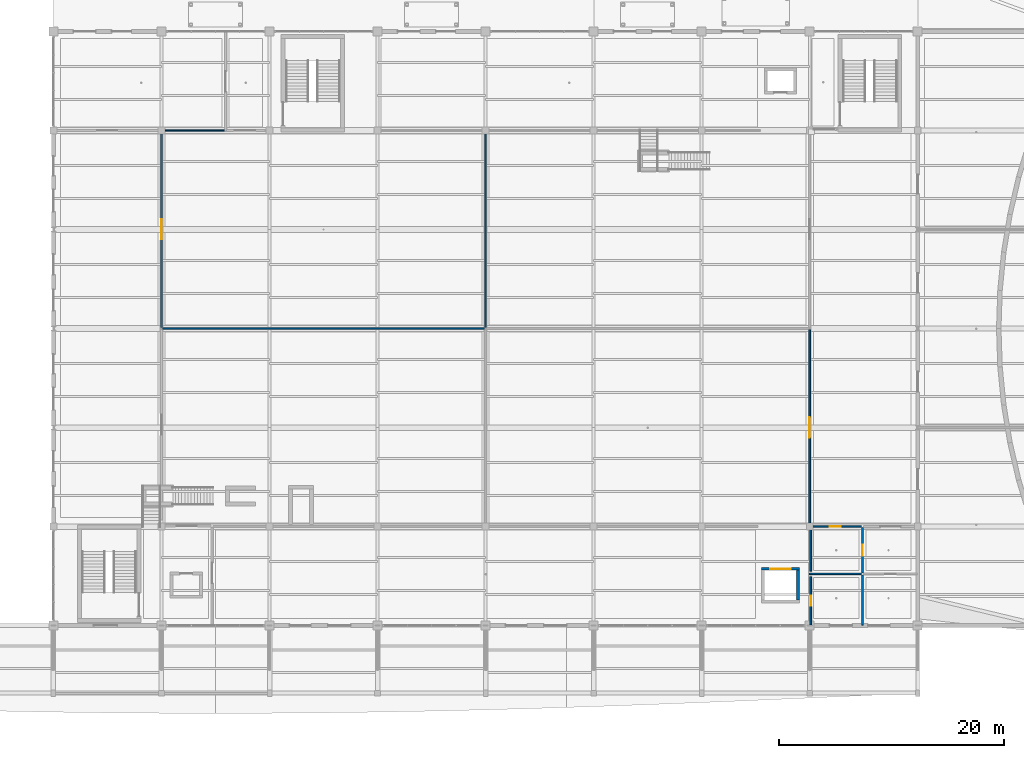
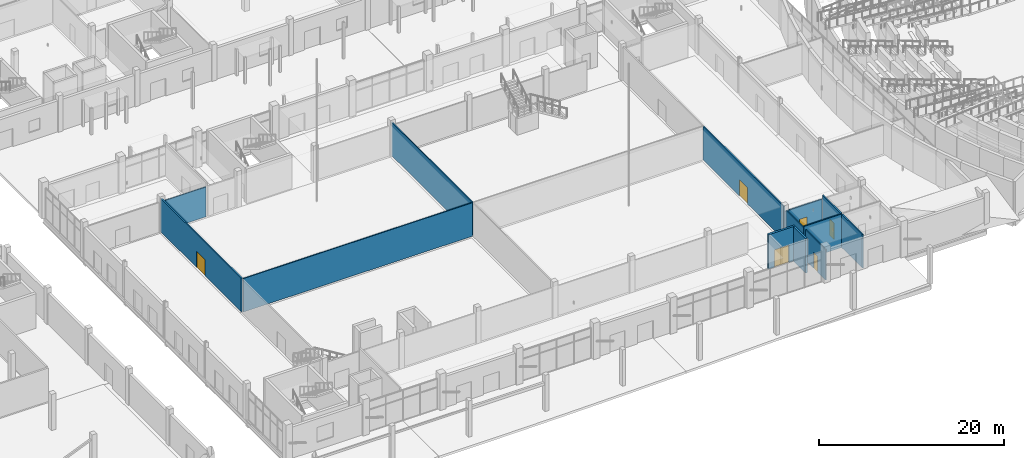
# One storey, part 79 of 116: 13 walls, 6 doors, 6 openings.
"""IFC4 building model written with IfcOpenShell, lengths in metres."""

from ifc_helpers import new_model, si_unit, direction, frame, frame_2d, origin, place, context, subcontext, project, spatial, rectangle, extrude, material, layer, layer_set, type_object, element, fill, save


model = new_model("IFC4")

# Units and contexts
model_context = context("Model", 3, precision=1e-05, world=origin(), true_north=direction((0.0, 1.0)))
body_context = subcontext(model_context, "Body", "Model", "MODEL_VIEW")
ifc_project = project(units=[si_unit("LENGTHUNIT", "METRE"), si_unit("AREAUNIT", "SQUARE_METRE"), si_unit("VOLUMEUNIT", "CUBIC_METRE"), si_unit("PLANEANGLEUNIT", "RADIAN"), si_unit("MASSUNIT", "GRAM", prefix="KILO")], contexts=[model_context])

# Site, building, storey
site_placement = place(None, origin())
site = spatial("IfcSite", under=ifc_project, at=site_placement, CompositionType="ELEMENT")
building_placement = place(site_placement, origin())
building = spatial("IfcBuilding", under=site, at=building_placement, Name="Chalmorin Arch Market", CompositionType="ELEMENT")
storey_placement = place(building_placement, origin())
storey = spatial("IfcBuildingStorey", under=building, at=storey_placement, Name="L00", CompositionType="ELEMENT", Elevation=0.0)

# Wall, opening, door
ifc_material_1 = material(Name="Gypsum Board Partition")
ifc_layer_1 = layer(ifc_material_1, 0.159912109375)
ifc_layer_set_1 = layer_set([ifc_layer_1], Name="Gypsum Board Partition")
wall_type_1 = type_object("IfcWallType", Name="CorridorRatedPartition-160", PredefinedType="PARTITIONING", material=ifc_layer_set_1)
wall_1_placement = place(storey_placement, frame((115.199951171875, 14.89990234375, 0.0), z_axis=(0.0, 0.0, 1.0), x_axis=(0.0, 1.0, 0.0)))
wall_1 = element("IfcWall", 1, at=wall_1_placement, inside=storey, type_object=wall_type_1, Name="CRP-160-396", PredefinedType="PARTITIONING", context=body_context, shape_type="SweptSolid", body=[
    extrude(rectangle(XDim=17.400146484375, YDim=0.159912109375, at=frame_2d((8.7001953125, 0.0))), origin(), (0.0, 0.0, 1.0), 4.419921875),
])
opening_1_placement = place(wall_1_placement, frame((7.800048828125, 0.0, 0.0)))
opening_1 = element("IfcOpeningElement", 2, at=opening_1_placement, cuts=wall_1, Name="Opening ID-103", PredefinedType="OPENING", context=body_context, shape_type="SweptSolid", body=[
    extrude(rectangle(XDim=1.800048828125, YDim=2.14990234375, at=frame_2d((0.89990234375, 1.074951171875))), frame((0.0, 0.08984375, 0.0), z_axis=(0.0, -1.0, 0.0), x_axis=(1.0, 0.0, 0.0)), (0.0, 0.0, 1.0), 0.179931640625),
])
ifc_material_2 = material(Name="Galvanised Steel", Category="steel")
door_type_1 = type_object("IfcDoorType", Name="CorridorFireDoubleDoor-1800x2150", OperationType="DOUBLE_DOOR_SINGLE_SWING", PredefinedType="DOOR", material=ifc_material_2)
door_1_placement = place(opening_1_placement, origin())
door_1 = element("IfcDoor", 3, at=door_1_placement, inside=storey, type_object=door_type_1, Name="ID-103", OperationType="DOUBLE_DOOR_SINGLE_SWING", OverallHeight=2.14990234375, OverallWidth=1.800048828125, PredefinedType="DOOR", context=body_context, shape_type="SweptSolid", body=[
    extrude(rectangle(XDim=1.800048828125, YDim=2.14990234375, at=frame_2d((0.89990234375, 1.074951171875))), frame((0.0, 0.02490234375, 0.0), z_axis=(0.0, -1.0, 0.0), x_axis=(1.0, 0.0, 0.0)), (0.0, 0.0, 1.0), 0.050048828125),
])
fill(opening_1, door_1)

wall_2_placement = place(storey_placement, frame((57.60009765625, 32.5, 0.0), z_axis=(0.0, 0.0, 1.0), x_axis=(0.0, 1.0, 0.0)))
wall_2 = element("IfcWall", 4, at=wall_2_placement, inside=storey, type_object=wall_type_1, Name="CRP-160-400", PredefinedType="PARTITIONING", context=body_context, shape_type="SweptSolid", body=[
    extrude(rectangle(XDim=17.449951171875, YDim=0.159912109375, at=frame_2d((8.72509765625, 0.0))), origin(), (0.0, 0.0, 1.0), 4.419921875),
])
opening_2_placement = place(wall_2_placement, frame((7.824951171875, 0.0, 0.0)))
opening_2 = element("IfcOpeningElement", 5, at=opening_2_placement, cuts=wall_2, Name="Opening ID-104", PredefinedType="OPENING", context=body_context, shape_type="SweptSolid", body=[
    extrude(rectangle(XDim=1.800048828125, YDim=2.14990234375, at=frame_2d((0.89990234375, 1.074951171875))), frame((0.0, 0.08984375, 0.0), z_axis=(0.0, -1.0, 0.0), x_axis=(1.0, 0.0, 0.0)), (0.0, 0.0, 1.0), 0.179931640625),
])
door_2_placement = place(opening_2_placement, origin())
door_2 = element("IfcDoor", 6, at=door_2_placement, inside=storey, type_object=door_type_1, Name="ID-104", OperationType="DOUBLE_DOOR_SINGLE_SWING", OverallHeight=2.14990234375, OverallWidth=1.800048828125, PredefinedType="DOOR", context=body_context, shape_type="SweptSolid", body=[
    extrude(rectangle(XDim=1.800048828125, YDim=2.14990234375, at=frame_2d((0.89990234375, 1.074951171875))), frame((0.0, 0.02490234375, 0.0), z_axis=(0.0, -1.0, 0.0), x_axis=(1.0, 0.0, 0.0)), (0.0, 0.0, 1.0), 0.050048828125),
])
fill(opening_2, door_2)

# Walls
ifc_material_3 = material(Name="Powder-coated Aluminium Panel", Category="aluminium")
ifc_layer_2 = layer(ifc_material_3, 0.125)
ifc_layer_set_2 = layer_set([ifc_layer_2], Name="Powder-coated Aluminium Panel")
wall_type_2 = type_object("IfcWallType", Name="DemountableStudStallPartition-125", PredefinedType="PARTITIONING", material=ifc_layer_set_2)
wall_3_placement = place(storey_placement, frame((57.699951171875, 32.39990234375, 0.0), z_axis=(0.0, 0.0, 1.0), x_axis=(1.0, 0.0, 0.0)))
element("IfcWall", 7, at=wall_3_placement, inside=storey, type_object=wall_type_2, Name="DSP-125-390", PredefinedType="PARTITIONING", context=body_context, shape_type="SweptSolid", body=[
    extrude(rectangle(XDim=28.60009765625, YDim=0.125, at=frame_2d((14.300048828125, 0.0))), origin(), (0.0, 0.0, 1.0), 4.419921875),
])
wall_4_placement = place(storey_placement, frame((86.39990234375, 32.5, 0.0), z_axis=(0.0, 0.0, 1.0), x_axis=(0.0, 1.0, 0.0)))
element("IfcWall", 8, at=wall_4_placement, inside=storey, type_object=wall_type_2, Name="DSP-125-397", PredefinedType="PARTITIONING", context=body_context, shape_type="SweptSolid", body=[
    extrude(rectangle(XDim=17.449951171875, YDim=0.125, at=frame_2d((8.72509765625, 0.0))), origin(), (0.0, 0.0, 1.0), 4.419921875),
])
wall_5_placement = place(storey_placement, frame((57.699951171875, 50.0, 0.0), z_axis=(0.0, 0.0, 1.0), x_axis=(1.0, 0.0, 0.0)))
element("IfcWall", 9, at=wall_5_placement, inside=storey, type_object=wall_type_2, Name="DSP-125-399", PredefinedType="PARTITIONING", context=body_context, shape_type="SweptSolid", body=[
    extrude(rectangle(XDim=5.5, YDim=0.125, at=frame_2d((2.75, 0.0))), origin(), (0.0, 0.0, 1.0), 3.925048828125),
])

# Wall, opening, door
ifc_material_4 = material(Name="Concrete C35/45", Category="concrete")
ifc_layer_3 = layer(ifc_material_4, 0.25)
ifc_layer_set_3 = layer_set([ifc_layer_3], Name="Concrete C35/45")
wall_type_3 = type_object("IfcWallType", Name="ShaftEnclosureWall-250", PredefinedType="SOLIDWALL", material=ifc_layer_set_3)
wall_6_placement = place(storey_placement, frame((110.925048828125, 11.050048828125, 0.0), z_axis=(0.0, 0.0, 1.0), x_axis=(1.0, 0.0, 0.0)))
wall_6 = element("IfcWall", 10, at=wall_6_placement, inside=storey, type_object=wall_type_3, Name="SEW-250-303", PredefinedType="SOLIDWALL", context=body_context, shape_type="SweptSolid", body=[
    extrude(rectangle(XDim=3.349853515625, YDim=0.25, at=frame_2d((1.6748046875, 0.0))), origin(), (0.0, 0.0, 1.0), 4.550048828125),
])
opening_3_placement = place(wall_6_placement, frame((0.77490234375, 0.0, 0.0)))
opening_3 = element("IfcOpeningElement", 11, at=opening_3_placement, cuts=wall_6, Name="Opening LD-LF-FR2-L00", PredefinedType="OPENING", context=body_context, shape_type="SweptSolid", body=[
    extrude(rectangle(XDim=1.800048828125, YDim=2.300048828125, at=frame_2d((0.89990234375, 1.14990234375))), frame((0.0, 0.135009765625, 0.0), z_axis=(0.0, -1.0, 0.0), x_axis=(1.0, 0.0, 0.0)), (0.0, 0.0, 1.0), 0.27001953125),
])
ifc_material_5 = material(Name="Stainless Steel 316", Category="steel")
door_type_2 = type_object("IfcDoorType", Name="FreightLiftLandingDoor-1800x2300", OperationType="DOUBLE_DOOR_SLIDING", PredefinedType="DOOR", material=ifc_material_5)
door_3_placement = place(opening_3_placement, origin())
door_3 = element("IfcDoor", 12, at=door_3_placement, inside=storey, type_object=door_type_2, Name="LD-LF-FR2-L00", OperationType="DOUBLE_DOOR_SLIDING", OverallHeight=2.300048828125, OverallWidth=1.800048828125, PredefinedType="DOOR", context=body_context, shape_type="SweptSolid", body=[
    extrude(rectangle(XDim=1.800048828125, YDim=2.300048828125, at=frame_2d((0.89990234375, 1.14990234375))), frame((0.0, 0.02490234375, 0.0), z_axis=(0.0, -1.0, 0.0), x_axis=(1.0, 0.0, 0.0)), (0.0, 0.0, 1.0), 0.050048828125),
])
fill(opening_3, door_3)

# Wall
wall_7_placement = place(storey_placement, frame((114.14990234375, 10.925048828125, 0.0), z_axis=(0.0, 0.0, 1.0), x_axis=(0.0, -1.0, 0.0)))
element("IfcWall", 13, at=wall_7_placement, inside=storey, type_object=wall_type_3, Name="SEW-250-305", PredefinedType="SOLIDWALL", context=body_context, shape_type="SweptSolid", body=[
    extrude(rectangle(XDim=2.650146484375, YDim=0.25, at=frame_2d((1.3251953125, 0.0))), origin(), (0.0, 0.0, 1.0), 4.550048828125),
])

# Wall, opening, door
ifc_material_6 = material(Name="Concrete C30/37", Category="concrete")
ifc_layer_4 = layer(ifc_material_6, 0.14990234375)
ifc_layer_set_4 = layer_set([ifc_layer_4], Name="Concrete C30/37")
wall_type_4 = type_object("IfcWallType", Name="WetAreaTilePartition-150", PredefinedType="PARTITIONING", material=ifc_layer_set_4)
wall_8_placement = place(storey_placement, frame((115.14990234375, 14.800048828125, 0.0), z_axis=(0.0, 0.0, 1.0), x_axis=(1.0, 0.0, 0.0)))
wall_8 = element("IfcWall", 14, at=wall_8_placement, inside=storey, type_object=wall_type_4, Name="WTP-150-408", PredefinedType="PARTITIONING", context=body_context, shape_type="SweptSolid", body=[
    extrude(rectangle(XDim=4.650146484375, YDim=0.14990234375, at=frame_2d((2.3251953125, 0.0))), origin(), (0.0, 0.0, 1.0), 3.8349609375),
])
opening_4_placement = place(wall_8_placement, frame((1.85009765625, 0.0, 0.0)))
opening_4 = element("IfcOpeningElement", 15, at=opening_4_placement, cuts=wall_8, Name="Opening ID-111", PredefinedType="OPENING", context=body_context, shape_type="SweptSolid", body=[
    extrude(rectangle(XDim=0.949951171875, YDim=2.14990234375, at=frame_2d((0.47509765625, 1.074951171875))), frame((0.0, 0.0849609375, 0.0), z_axis=(0.0, -1.0, 0.0), x_axis=(1.0, 0.0, 0.0)), (0.0, 0.0, 1.0), 0.169921875),
])
ifc_material_7 = material(Name="Oak Engineered Timber", Category="wood")
door_type_3 = type_object("IfcDoorType", Name="AccessibleWCDoor-950x2150", OperationType="NOTDEFINED", PredefinedType="DOOR", material=ifc_material_7)
door_4_placement = place(opening_4_placement, origin())
door_4 = element("IfcDoor", 16, at=door_4_placement, inside=storey, type_object=door_type_3, Name="ID-111", OperationType="SINGLE_SWING_LEFT", OverallHeight=2.14990234375, OverallWidth=0.949951171875, PredefinedType="DOOR", context=body_context, shape_type="SweptSolid", body=[
    extrude(rectangle(XDim=0.949951171875, YDim=2.14990234375, at=frame_2d((0.47509765625, 1.074951171875))), frame((0.0, 0.02490234375, 0.0), z_axis=(0.0, -1.0, 0.0), x_axis=(1.0, 0.0, 0.0)), (0.0, 0.0, 1.0), 0.050048828125),
])
fill(opening_4, door_4)

# Walls
wall_9_placement = place(storey_placement, frame((119.89990234375, 6.050048828125, 0.0), z_axis=(0.0, 0.0, 1.0), x_axis=(0.0, 1.0, 0.0)))
element("IfcWall", 17, at=wall_9_placement, inside=storey, type_object=wall_type_4, Name="WTP-150-410", PredefinedType="PARTITIONING", context=body_context, shape_type="SweptSolid", body=[
    extrude(rectangle(XDim=4.449951171875, YDim=0.14990234375, at=frame_2d((2.22509765625, 0.0))), origin(), (0.0, 0.0, 1.0), 4.419921875),
])
wall_10_placement = place(storey_placement, frame((115.14990234375, 10.60009765625, 0.0), z_axis=(0.0, 0.0, 1.0), x_axis=(1.0, 0.0, 0.0)))
element("IfcWall", 18, at=wall_10_placement, inside=storey, type_object=wall_type_4, Name="WTP-150-411", PredefinedType="PARTITIONING", context=body_context, shape_type="SweptSolid", body=[
    extrude(rectangle(XDim=4.650146484375, YDim=0.14990234375, at=frame_2d((2.3251953125, 0.0))), origin(), (0.0, 0.0, 1.0), 4.419921875),
])

# Wall, opening, door
wall_11_placement = place(storey_placement, frame((119.89990234375, 10.699951171875, 0.0), z_axis=(0.0, 0.0, 1.0), x_axis=(0.0, 1.0, 0.0)))
wall_11 = element("IfcWall", 19, at=wall_11_placement, inside=storey, type_object=wall_type_4, Name="WTP-150-413", PredefinedType="PARTITIONING", context=body_context, shape_type="SweptSolid", body=[
    extrude(rectangle(XDim=4.0, YDim=0.14990234375, at=frame_2d((2.0, 0.0))), origin(), (0.0, 0.0, 1.0), 4.419921875),
])
opening_5_placement = place(wall_11_placement, frame((1.52490234375, 0.0, 0.0)))
opening_5 = element("IfcOpeningElement", 20, at=opening_5_placement, cuts=wall_11, Name="Opening ID-114", PredefinedType="OPENING", context=body_context, shape_type="SweptSolid", body=[
    extrude(rectangle(XDim=0.949951171875, YDim=2.14990234375, at=frame_2d((0.47509765625, 1.074951171875))), frame((0.0, 0.0849609375, 0.0), z_axis=(0.0, -1.0, 0.0), x_axis=(1.0, 0.0, 0.0)), (0.0, 0.0, 1.0), 0.169921875),
])
door_5_placement = place(opening_5_placement, origin())
door_5 = element("IfcDoor", 21, at=door_5_placement, inside=storey, type_object=door_type_3, Name="ID-114", OperationType="SINGLE_SWING_RIGHT", OverallHeight=2.14990234375, OverallWidth=0.949951171875, PredefinedType="DOOR", context=body_context, shape_type="SweptSolid", body=[
    extrude(rectangle(XDim=0.949951171875, YDim=2.14990234375, at=frame_2d((0.47509765625, 1.074951171875))), frame((0.0, 0.02490234375, 0.0), z_axis=(0.0, -1.0, 0.0), x_axis=(1.0, 0.0, 0.0)), (0.0, 0.0, 1.0), 0.050048828125),
])
fill(opening_5, door_5)

wall_12_placement = place(storey_placement, frame((115.300048828125, 6.050048828125, 0.0), z_axis=(0.0, 0.0, 1.0), x_axis=(0.0, 1.0, 0.0)))
wall_12 = element("IfcWall", 22, at=wall_12_placement, inside=storey, type_object=wall_type_4, Name="WTP-150-457", PredefinedType="PARTITIONING", context=body_context, shape_type="SweptSolid", body=[
    extrude(rectangle(XDim=4.31005859375, YDim=0.14990234375, at=frame_2d((2.155029296875, 0.0))), origin(), (0.0, 0.0, 1.0), 4.06689453125),
])
opening_6_placement = place(wall_12_placement, frame((1.705078125, 0.0, 0.0)))
opening_6 = element("IfcOpeningElement", 23, at=opening_6_placement, cuts=wall_12, Name="Opening ID-140", PredefinedType="OPENING", context=body_context, shape_type="SweptSolid", body=[
    extrude(rectangle(XDim=0.89990234375, YDim=2.14990234375, at=frame_2d((0.449951171875, 1.074951171875))), frame((0.0, 0.0849609375, 0.0), z_axis=(0.0, -1.0, 0.0), x_axis=(1.0, 0.0, 0.0)), (0.0, 0.0, 1.0), 0.169921875),
])
door_type_4 = type_object("IfcDoorType", Name="RestroomEntryDoor-900x2150", OperationType="NOTDEFINED", PredefinedType="DOOR", material=ifc_material_7)
door_6_placement = place(opening_6_placement, origin())
door_6 = element("IfcDoor", 24, at=door_6_placement, inside=storey, type_object=door_type_4, Name="ID-140", OperationType="SINGLE_SWING_RIGHT", OverallHeight=2.14990234375, OverallWidth=0.89990234375, PredefinedType="DOOR", context=body_context, shape_type="SweptSolid", body=[
    extrude(rectangle(XDim=0.89990234375, YDim=2.14990234375, at=frame_2d((0.449951171875, 1.074951171875))), frame((0.0, 0.02490234375, 0.0), z_axis=(0.0, -1.0, 0.0), x_axis=(1.0, 0.0, 0.0)), (0.0, 0.0, 1.0), 0.050048828125),
])
fill(opening_6, door_6)

# Wall
wall_13_placement = place(storey_placement, frame((115.300048828125, 10.840087890625, 0.0), z_axis=(0.0, 0.0, 1.0), x_axis=(0.0, 1.0, 0.0)))
element("IfcWall", 25, at=wall_13_placement, inside=storey, type_object=wall_type_4, Name="WTP-150-458", PredefinedType="PARTITIONING", context=body_context, shape_type="SweptSolid", body=[
    extrude(rectangle(XDim=3.719970703125, YDim=0.14990234375, at=frame_2d((1.85986328125, 0.0))), origin(), (0.0, 0.0, 1.0), 4.06689453125),
])

save(model, "model.ifc")
